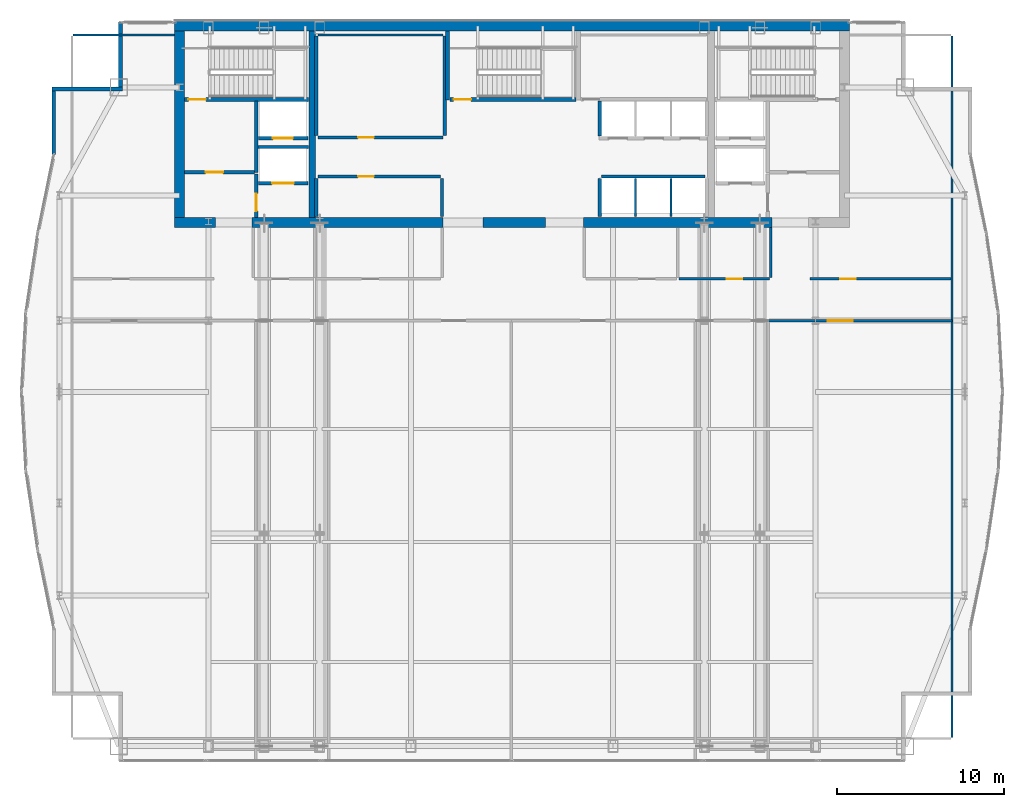
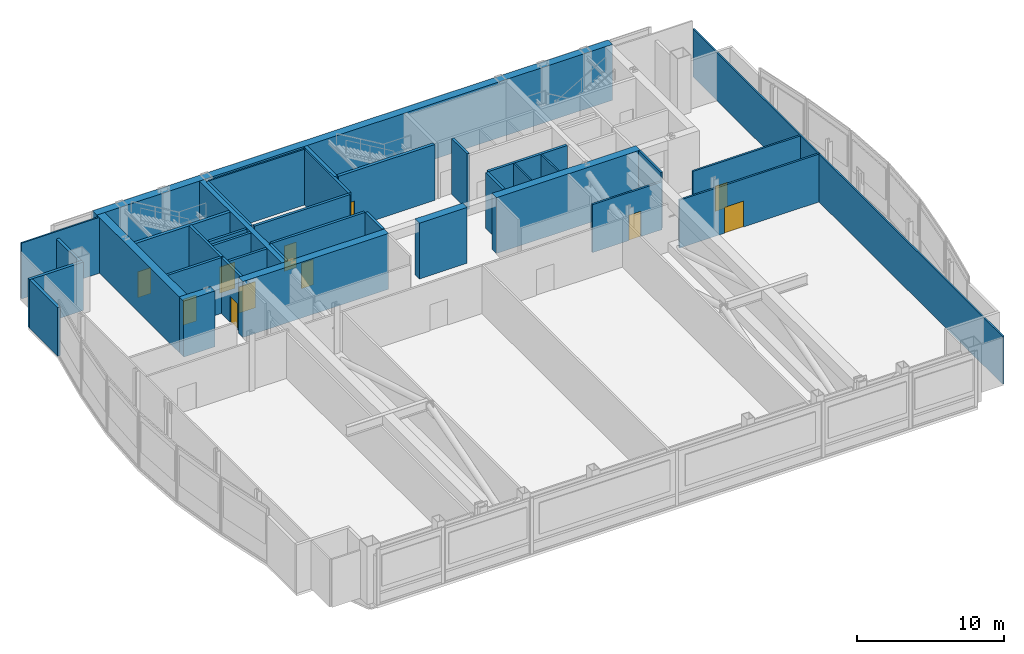
# One storey, part 28 of 32: 37 walls, 11 doors, 11 openings.
"""IFC4 building model written with IfcOpenShell, lengths in metres."""

from ifc_helpers import new_model, si_unit, direction, frame, frame_2d, origin, place, context, subcontext, project, spatial, rectangle, extrude, material, layer, layer_set, type_object, element, fill, save


model = new_model("IFC4")

# Units and contexts
model_context = context("Model", 3, precision=1e-05, world=origin(), true_north=direction((0.0, 1.0)))
body_context = subcontext(model_context, "Body", "Model", "MODEL_VIEW")
ifc_project = project(units=[si_unit("LENGTHUNIT", "METRE"), si_unit("AREAUNIT", "SQUARE_METRE"), si_unit("VOLUMEUNIT", "CUBIC_METRE"), si_unit("PLANEANGLEUNIT", "RADIAN"), si_unit("MASSUNIT", "GRAM", prefix="KILO")], contexts=[model_context])

# Site, building, storey
site_placement = place(None, origin())
site = spatial("IfcSite", under=ifc_project, at=site_placement, CompositionType="ELEMENT")
building_placement = place(site_placement, origin())
building = spatial("IfcBuilding", under=site, at=building_placement, Name="Khoronbel Lancet Exchange", CompositionType="ELEMENT")
storey_placement = place(building_placement, frame((0.0, 0.0, 257.0)))
storey = spatial("IfcBuildingStorey", under=building, at=storey_placement, Name="L66", CompositionType="ELEMENT", Elevation=257.0)

# Walls
ifc_material_1 = material(Name="Concrete C60/75", Category="concrete")
ifc_layer_1 = layer(ifc_material_1, 0.60009765625, Name="Concrete C60/75")
ifc_layer_set_1 = layer_set([ifc_layer_1], Name="Concrete C60/75")
wall_type_1 = type_object("IfcWallType", Name="WL-CW3", PredefinedType="SHEAR", material=ifc_layer_set_1)
wall_1_placement = place(storey_placement, frame((16.199951171875, 53.39990234375, 0.0), z_axis=(0.0, 0.0, 1.0), x_axis=(1.0, 0.0, 0.0)))
element("IfcWall", 1, at=wall_1_placement, inside=storey, type_object=wall_type_1, Name="Level L66 rear core north shear wall", PredefinedType="SHEAR", context=body_context, shape_type="SweptSolid", body=[
    extrude(rectangle(XDim=40.5, YDim=0.60009765625, at=frame_2d((20.25, 0.0))), origin(), (0.0, 0.0, 1.0), 4.639892578125),
])
wall_2_placement = place(storey_placement, frame((16.5, 41.89990234375, 0.0), z_axis=(0.0, 0.0, 1.0), x_axis=(0.0, 1.0, 0.0)))
element("IfcWall", 2, at=wall_2_placement, inside=storey, type_object=wall_type_1, Name="Level L66 rear core west shear wall", PredefinedType="SHEAR", context=body_context, shape_type="SweptSolid", body=[
    extrude(rectangle(XDim=11.2001953125, YDim=0.60009765625, at=frame_2d((5.60009765625, 0.0))), origin(), (0.0, 0.0, 1.0), 4.639892578125),
])
wall_3_placement = place(storey_placement, frame((18.64990234375, 41.60009765625, 0.0), z_axis=(0.0, 0.0, 1.0), x_axis=(-1.0, 0.0, 0.0)))
element("IfcWall", 3, at=wall_3_placement, inside=storey, type_object=wall_type_1, Name="Level L66 rear core south shear wall pier P1", PredefinedType="SHEAR", context=body_context, shape_type="SweptSolid", body=[
    extrude(rectangle(XDim=2.449951171875, YDim=0.60009765625, at=frame_2d((1.22509765625, 0.0))), origin(), (0.0, 0.0, 1.0), 4.639892578125),
])
wall_4_placement = place(storey_placement, frame((32.300048828125, 41.60009765625, 0.0), z_axis=(0.0, 0.0, 1.0), x_axis=(-1.0, 0.0, 0.0)))
element("IfcWall", 4, at=wall_4_placement, inside=storey, type_object=wall_type_1, Name="Level L66 rear core south shear wall pier P2", PredefinedType="SHEAR", context=body_context, shape_type="SweptSolid", body=[
    extrude(rectangle(XDim=11.449951171875, YDim=0.60009765625, at=frame_2d((5.72509765625, 0.0))), origin(), (0.0, 0.0, 1.0), 4.639892578125),
])
wall_5_placement = place(storey_placement, frame((38.449951171875, 41.60009765625, 0.0), z_axis=(0.0, 0.0, 1.0), x_axis=(-1.0, 0.0, 0.0)))
element("IfcWall", 5, at=wall_5_placement, inside=storey, type_object=wall_type_1, Name="Level L66 rear core south shear wall pier P3", PredefinedType="SHEAR", context=body_context, shape_type="SweptSolid", body=[
    extrude(rectangle(XDim=3.75, YDim=0.60009765625, at=frame_2d((1.875, 0.0))), origin(), (0.0, 0.0, 1.0), 4.639892578125),
])
wall_6_placement = place(storey_placement, frame((52.050048828125, 41.60009765625, 0.0), z_axis=(0.0, 0.0, 1.0), x_axis=(-1.0, 0.0, 0.0)))
element("IfcWall", 6, at=wall_6_placement, inside=storey, type_object=wall_type_1, Name="Level L66 rear core south shear wall pier P4", PredefinedType="SHEAR", context=body_context, shape_type="SweptSolid", body=[
    extrude(rectangle(XDim=11.300048828125, YDim=0.60009765625, at=frame_2d((5.64990234375, 0.0))), origin(), (0.0, 0.0, 1.0), 4.639892578125),
])
ifc_material_2 = material(Name="Precast concrete C40/50", Category="concrete")
ifc_layer_2 = layer(ifc_material_2, 0.25, Name="Precast concrete C40/50")
ifc_layer_set_2 = layer_set([ifc_layer_2], Name="Precast concrete C40/50")
wall_type_2 = type_object("IfcWallType", Name="WL-EXT250", PredefinedType="SOLIDWALL", material=ifc_layer_set_2)
wall_7_placement = place(storey_placement, frame((8.93994140625, 45.6708984375, 0.0), z_axis=(0.0, 0.0, 1.0), x_axis=(0.0, 1.0, 0.0)))
element("IfcWall", 7, at=wall_7_placement, inside=storey, type_object=wall_type_2, Name="Level L66 notched-corner limestone pier 10", PredefinedType="SOLIDWALL", context=body_context, shape_type="SweptSolid", body=[
    extrude(rectangle(XDim=3.8291015625, YDim=0.219970703125, at=frame_2d((1.91455078125, 0.0))), origin(), (0.0, 0.0, 1.0), 4.030029296875),
])
wall_8_placement = place(storey_placement, frame((8.830078125, 49.610107421875, 0.0), z_axis=(0.0, 0.0, 1.0), x_axis=(1.0, 0.0, 0.0)))
element("IfcWall", 8, at=wall_8_placement, inside=storey, type_object=wall_type_2, Name="Level L66 notched-corner limestone pier 11", PredefinedType="SOLIDWALL", context=body_context, shape_type="SweptSolid", body=[
    extrude(rectangle(XDim=4.219970703125, YDim=0.219970703125, at=frame_2d((2.10986328125, 0.0))), origin(), (0.0, 0.0, 1.0), 4.030029296875),
])
wall_9_placement = place(storey_placement, frame((12.93994140625, 49.719970703125, 0.0), z_axis=(0.0, 0.0, 1.0), x_axis=(0.0, 1.0, 0.0)))
element("IfcWall", 9, at=wall_9_placement, inside=storey, type_object=wall_type_2, Name="Level L66 notched-corner limestone pier 12", PredefinedType="SOLIDWALL", context=body_context, shape_type="SweptSolid", body=[
    extrude(rectangle(XDim=3.909912109375, YDim=0.219970703125, at=frame_2d((1.955078125, 0.0))), origin(), (0.0, 0.0, 1.0), 4.030029296875),
])
ifc_material_3 = material(Name="Acoustic Metal-Stud & Mineral-Wool Gypsum Partition 120 mm", Category="gypsum")
ifc_layer_3 = layer(ifc_material_3, 0.1201171875, Name="Acoustic Metal-Stud & Mineral-Wool Gypsum Partition 120 mm")
ifc_layer_set_3 = layer_set([ifc_layer_3], Name="Acoustic Metal-Stud & Mineral-Wool Gypsum Partition 120 mm")
wall_type_3 = type_object("IfcWallType", Name="WL-PRT120", PredefinedType="PARTITIONING", material=ifc_layer_set_3)
wall_10_placement = place(storey_placement, frame((52.0, 38.280029296875, 0.0), z_axis=(0.0, 0.0, 1.0), x_axis=(0.0, 1.0, 0.0)))
element("IfcWall", 10, at=wall_10_placement, inside=storey, type_object=wall_type_3, Name="Level L66 interior partition PW-RF-NE3", PredefinedType="PARTITIONING", context=body_context, shape_type="SweptSolid", body=[
    extrude(rectangle(XDim=3.02001953125, YDim=0.14990234375, at=frame_2d((1.510009765625, 0.0))), origin(), (0.0, 0.0, 1.0), 4.639892578125),
])
wall_11_placement = place(storey_placement, frame((62.8701171875, 10.6650390625, 0.0), z_axis=(0.0, 0.0, 1.0), x_axis=(0.0, 1.0, 0.0)))
element("IfcWall", 11, at=wall_11_placement, inside=storey, type_object=wall_type_3, Name="Level L66 interior partition PW-LIN-E", PredefinedType="PARTITIONING", context=body_context, shape_type="SweptSolid", body=[
    extrude(rectangle(XDim=42.10986328125, YDim=0.1201171875, at=frame_2d((21.054931640625, 0.0))), origin(), (0.0, 0.0, 1.0), 3.97998046875),
])
wall_12_placement = place(storey_placement, frame((10.094970703125, 52.840087890625, 0.0), z_axis=(0.0, 0.0, 1.0), x_axis=(1.0, 0.0, 0.0)))
element("IfcWall", 12, at=wall_12_placement, inside=storey, type_object=wall_type_3, Name="Level L66 interior partition PW-LIN-NW", PredefinedType="PARTITIONING", context=body_context, shape_type="SweptSolid", body=[
    extrude(rectangle(XDim=6.10498046875, YDim=0.1201171875, at=frame_2d((3.052490234375, 0.0))), origin(), (0.0, 0.0, 1.0), 4.639892578125),
])
ifc_material_4 = material(Name="Fire-Rated Metal-Stud & Mineral-Wool Gypsum Partition 120 mm", Category="gypsum")
ifc_layer_4 = layer(ifc_material_4, 0.1201171875, Name="Fire-Rated Metal-Stud & Mineral-Wool Gypsum Partition 120 mm")
ifc_layer_set_4 = layer_set([ifc_layer_4], Name="Fire-Rated Metal-Stud & Mineral-Wool Gypsum Partition 120 mm")
wall_type_4 = type_object("IfcWallType", Name="WL-PRT120F", PredefinedType="PARTITIONING", material=ifc_layer_set_4)
wall_13_placement = place(storey_placement, frame((24.804931640625, 52.860107421875, 0.0), z_axis=(0.0, 0.0, 1.0), x_axis=(1.0, 0.0, 0.0)))
element("IfcWall", 13, at=wall_13_placement, inside=storey, type_object=wall_type_4, Name="Level L66 interior partition CW-PL-RN", PredefinedType="PARTITIONING", context=body_context, shape_type="SweptSolid", body=[
    extrude(rectangle(XDim=7.510009765625, YDim=0.1201171875, at=frame_2d((3.7548828125, 0.0))), origin(), (0.0, 0.0, 1.0), 4.639892578125),
])
for number, where, z_axis, x_axis, name in (
    (14, (43.860107421875, 41.949951171875, 0.0), (0.0, 0.0, 1.0), (0.0, 1.0, 0.0), "Level L66 interior partition CW-PX-D1"),
    (15, (46.0, 41.949951171875, 0.0), (0.0, 0.0, 1.0), (0.0, 1.0, 0.0), "Level L66 interior partition CW-PX-D2"),
):
    element("IfcWall", number, at=place(storey_placement, frame(where, z_axis=z_axis, x_axis=x_axis)), inside=storey, type_object=wall_type_4, Name=name, PredefinedType="PARTITIONING", context=body_context, shape_type="SweptSolid", body=[
        extrude(rectangle(XDim=2.295166015625, YDim=0.1201171875, at=frame_2d((1.1474609375, 0.0))), origin(), (0.0, 0.0, 1.0), 4.639892578125),
    ])

# Wall, opening, door
ifc_material_5 = material(Name="Fire-Rated Twin-Stud Acoustic Gypsum Partition 150 mm", Category="gypsum")
ifc_layer_5 = layer(ifc_material_5, 0.14990234375, Name="Fire-Rated Twin-Stud Acoustic Gypsum Partition 150 mm")
ifc_layer_set_5 = layer_set([ifc_layer_5], Name="Fire-Rated Twin-Stud Acoustic Gypsum Partition 150 mm")
wall_type_5 = type_object("IfcWallType", Name="WL-PRT150C", PredefinedType="PARTITIONING", material=ifc_layer_set_5)
wall_14_placement = place(storey_placement, frame((51.85009765625, 35.699951171875, 0.0), z_axis=(0.0, 0.0, 1.0), x_axis=(1.0, 0.0, 0.0)))
wall_14 = element("IfcWall", 16, at=wall_14_placement, inside=storey, type_object=wall_type_5, Name="Level L66 interior partition PW-RF-S6", PredefinedType="PARTITIONING", context=body_context, shape_type="SweptSolid", body=[
    extrude(rectangle(XDim=11.02001953125, YDim=0.14990234375, at=frame_2d((5.510009765625, 0.0))), origin(), (0.0, 0.0, 1.0), 3.97998046875),
])
opening_1_placement = place(wall_14_placement, frame((3.550048828125, 0.0, 0.0)))
opening_1 = element("IfcOpeningElement", 17, at=opening_1_placement, cuts=wall_14, Name="Opening FD2", PredefinedType="OPENING", context=body_context, shape_type="SweptSolid", body=[
    extrude(rectangle(XDim=1.5, YDim=2.14990234375, at=frame_2d((0.75, 1.074951171875))), frame((0.0, 0.0849609375, 0.0), z_axis=(0.0, -1.0, 0.0), x_axis=(1.0, 0.0, 0.0)), (0.0, 0.0, 1.0), 0.169921875),
])
ifc_material_6 = material(Name="Fire-Rated Painted Steel Door Assembly", Category="steel")
door_type_1 = type_object("IfcDoorType", Name="DR-FD2", OperationType="NOTDEFINED", PredefinedType="DOOR", material=ifc_material_6)
door_1_placement = place(opening_1_placement, origin())
door_1 = element("IfcDoor", 18, at=door_1_placement, inside=storey, type_object=door_type_1, Name="East refuge area fire door L66-1", OperationType="DOUBLE_DOOR_SINGLE_SWING", OverallHeight=2.14990234375, OverallWidth=1.5, PredefinedType="DOOR", context=body_context, shape_type="SweptSolid", body=[
    extrude(rectangle(XDim=1.5, YDim=2.14990234375, at=frame_2d((0.75, 1.074951171875))), frame((0.0, 0.02490234375, 0.0), z_axis=(0.0, -1.0, 0.0), x_axis=(1.0, 0.0, 0.0)), (0.0, 0.0, 1.0), 0.050048828125),
])
fill(opening_1, door_1)

wall_15_placement = place(storey_placement, frame((46.47998046875, 38.199951171875, 0.0), z_axis=(0.0, 0.0, 1.0), x_axis=(1.0, 0.0, 0.0)))
wall_15 = element("IfcWall", 19, at=wall_15_placement, inside=storey, type_object=wall_type_5, Name="Level L66 interior partition PW-RF-NE2", PredefinedType="PARTITIONING", context=body_context, shape_type="SweptSolid", body=[
    extrude(rectangle(XDim=5.43994140625, YDim=0.14990234375, at=frame_2d((2.719970703125, 0.0))), origin(), (0.0, 0.0, 1.0), 3.97998046875),
])
opening_2_placement = place(wall_15_placement, frame((2.85009765625, 0.0, 0.0)))
opening_2 = element("IfcOpeningElement", 20, at=opening_2_placement, cuts=wall_15, Name="Opening FD3", PredefinedType="OPENING", context=body_context, shape_type="SweptSolid", body=[
    extrude(rectangle(XDim=0.949951171875, YDim=2.10009765625, at=frame_2d((0.47509765625, 1.050048828125))), frame((0.0, 0.0849609375, 0.0), z_axis=(0.0, -1.0, 0.0), x_axis=(1.0, 0.0, 0.0)), (0.0, 0.0, 1.0), 0.169921875),
])
ifc_material_7 = material(Name="Fire-Rated Steel Plant & Riser Door Assembly", Category="steel")
door_type_2 = type_object("IfcDoorType", Name="DR-FD3", OperationType="NOTDEFINED", PredefinedType="DOOR", material=ifc_material_7)
door_2_placement = place(opening_2_placement, origin())
door_2 = element("IfcDoor", 21, at=door_2_placement, inside=storey, type_object=door_type_2, Name="BMS mechanical plant room door L66-1", OperationType="SINGLE_SWING_LEFT", OverallHeight=2.10009765625, OverallWidth=0.949951171875, PredefinedType="DOOR", context=body_context, shape_type="SweptSolid", body=[
    extrude(rectangle(XDim=0.949951171875, YDim=2.10009765625, at=frame_2d((0.47509765625, 1.050048828125))), frame((0.0, 0.02490234375, 0.0), z_axis=(0.0, -1.0, 0.0), x_axis=(1.0, 0.0, 0.0)), (0.0, 0.0, 1.0), 0.050048828125),
])
fill(opening_2, door_2)

wall_16_placement = place(storey_placement, frame((54.35009765625, 38.199951171875, 0.0), z_axis=(0.0, 0.0, 1.0), x_axis=(1.0, 0.0, 0.0)))
wall_16 = element("IfcWall", 22, at=wall_16_placement, inside=storey, type_object=wall_type_5, Name="Level L66 interior partition PW-RF-NES", PredefinedType="PARTITIONING", context=body_context, shape_type="SweptSolid", body=[
    extrude(rectangle(XDim=8.454833984375, YDim=0.14990234375, at=frame_2d((4.2275390625, 0.0))), origin(), (0.0, 0.0, 1.0), 3.97998046875),
])
opening_3_placement = place(wall_16_placement, frame((1.800048828125, 0.0, 0.0)))
opening_3 = element("IfcOpeningElement", 23, at=opening_3_placement, cuts=wall_16, Name="Opening FD3", PredefinedType="OPENING", context=body_context, shape_type="SweptSolid", body=[
    extrude(rectangle(XDim=0.949951171875, YDim=2.10009765625, at=frame_2d((0.47509765625, 1.050048828125))), frame((0.0, 0.0849609375, 0.0), z_axis=(0.0, -1.0, 0.0), x_axis=(1.0, 0.0, 0.0)), (0.0, 0.0, 1.0), 0.169921875),
])
door_3_placement = place(opening_3_placement, origin())
door_3 = element("IfcDoor", 24, at=door_3_placement, inside=storey, type_object=door_type_2, Name="NE UPS plant door L66-1", OperationType="SINGLE_SWING_LEFT", OverallHeight=2.10009765625, OverallWidth=0.949951171875, PredefinedType="DOOR", context=body_context, shape_type="SweptSolid", body=[
    extrude(rectangle(XDim=0.949951171875, YDim=2.10009765625, at=frame_2d((0.47509765625, 1.050048828125))), frame((0.0, 0.02490234375, 0.0), z_axis=(0.0, -1.0, 0.0), x_axis=(1.0, 0.0, 0.0)), (0.0, 0.0, 1.0), 0.050048828125),
])
fill(opening_3, door_3)

ifc_material_8 = material(Name="Autoclaved Aerated Concrete Blockwork 200 mm", Category="masonry")
ifc_layer_6 = layer(ifc_material_8, 0.199951171875, Name="Autoclaved Aerated Concrete Blockwork 200 mm")
ifc_layer_set_6 = layer_set([ifc_layer_6], Name="Autoclaved Aerated Concrete Blockwork 200 mm")
wall_type_6 = type_object("IfcWallType", Name="WL-PRT200", PredefinedType="PARTITIONING", material=ifc_layer_set_6)
wall_17_placement = place(storey_placement, frame((24.2099609375, 43.949951171875, 0.0), z_axis=(0.0, 0.0, 1.0), x_axis=(-1.0, 0.0, 0.0)))
wall_17 = element("IfcWall", 25, at=wall_17_placement, inside=storey, type_object=wall_type_6, Name="Level L66 elevator hoistway landing front wall SVLW", PredefinedType="PARTITIONING", context=body_context, shape_type="SweptSolid", body=[
    extrude(rectangle(XDim=2.969970703125, YDim=0.199951171875, at=frame_2d((1.48486328125, 0.0))), origin(), (0.0, 0.0, 1.0), 4.639892578125),
])
opening_4_placement = place(wall_17_placement, frame((0.860107421875, 0.0, 0.0)))
opening_4 = element("IfcOpeningElement", 26, at=opening_4_placement, cuts=wall_17, Name="Opening LD-SVL1", PredefinedType="OPENING", context=body_context, shape_type="SweptSolid", body=[
    extrude(rectangle(XDim=1.300048828125, YDim=2.179931640625, at=frame_2d((0.64990234375, 1.08984375))), frame((0.0, 0.10986328125, 0.0), z_axis=(0.0, -1.0, 0.0), x_axis=(1.0, 0.0, 0.0)), (0.0, 0.0, 1.0), 0.219970703125),
])
ifc_material_9 = material(Name="Heavy-Duty Bi-Parting Goods Lift Landing Door", Category="steel")
door_type_3 = type_object("IfcDoorType", Name="DR-LD-SVL", OperationType="NOTDEFINED", PredefinedType="DOOR", material=ifc_material_9)
door_4_placement = place(opening_4_placement, origin())
door_4 = element("IfcDoor", 27, at=door_4_placement, inside=storey, type_object=door_type_3, Name="Elevator landing sliding door LD-SVL1 L66", OperationType="SLIDING_TO_LEFT", OverallHeight=2.179931640625, OverallWidth=1.300048828125, PredefinedType="DOOR", context=body_context, shape_type="SweptSolid", body=[
    extrude(rectangle(XDim=1.300048828125, YDim=2.179931640625, at=frame_2d((0.64990234375, 1.08984375))), frame((0.0, 0.02490234375, 0.0), z_axis=(0.0, -1.0, 0.0), x_axis=(1.0, 0.0, 0.0)), (0.0, 0.0, 1.0), 0.050048828125),
])
fill(opening_4, door_4)

wall_18_placement = place(storey_placement, frame((24.2099609375, 46.64990234375, 0.0), z_axis=(0.0, 0.0, 1.0), x_axis=(-1.0, 0.0, 0.0)))
wall_18 = element("IfcWall", 28, at=wall_18_placement, inside=storey, type_object=wall_type_6, Name="Level L66 elevator hoistway landing front wall FFLW", PredefinedType="PARTITIONING", context=body_context, shape_type="SweptSolid", body=[
    extrude(rectangle(XDim=2.969970703125, YDim=0.199951171875, at=frame_2d((1.48486328125, 0.0))), origin(), (0.0, 0.0, 1.0), 4.639892578125),
])
opening_5_placement = place(wall_18_placement, frame((0.909912109375, 0.0, 0.0)))
opening_5 = element("IfcOpeningElement", 29, at=opening_5_placement, cuts=wall_18, Name="Opening LD-FFL1", PredefinedType="OPENING", context=body_context, shape_type="SweptSolid", body=[
    extrude(rectangle(XDim=1.199951171875, YDim=2.179931640625, at=frame_2d((0.60009765625, 1.08984375))), frame((0.0, 0.10986328125, 0.0), z_axis=(0.0, -1.0, 0.0), x_axis=(1.0, 0.0, 0.0)), (0.0, 0.0, 1.0), 0.219970703125),
])
ifc_material_10 = material(Name="Fire-Rated Stainless Bi-Parting Firefighting Lift Door", Category="steel")
door_type_4 = type_object("IfcDoorType", Name="DR-LD-FFL", OperationType="NOTDEFINED", PredefinedType="DOOR", material=ifc_material_10)
door_5_placement = place(opening_5_placement, origin())
door_5 = element("IfcDoor", 30, at=door_5_placement, inside=storey, type_object=door_type_4, Name="Elevator landing sliding door LD-FFL1 L66", OperationType="SLIDING_TO_LEFT", OverallHeight=2.179931640625, OverallWidth=1.199951171875, PredefinedType="DOOR", context=body_context, shape_type="SweptSolid", body=[
    extrude(rectangle(XDim=1.199951171875, YDim=2.179931640625, at=frame_2d((0.60009765625, 1.08984375))), frame((0.0, 0.02490234375, 0.0), z_axis=(0.0, -1.0, 0.0), x_axis=(1.0, 0.0, 0.0)), (0.0, 0.0, 1.0), 0.050048828125),
])
fill(opening_5, door_5)

# Wall
wall_19_placement = place(storey_placement, frame((21.10009765625, 44.60009765625, 0.0), z_axis=(0.0, 0.0, 1.0), x_axis=(0.0, 1.0, 0.0)))
element("IfcWall", 31, at=wall_19_placement, inside=storey, type_object=wall_type_6, Name="Level L66 interior partition CW-FFLW-E", PredefinedType="PARTITIONING", context=body_context, shape_type="SweptSolid", body=[
    extrude(rectangle(XDim=4.2998046875, YDim=0.199951171875, at=frame_2d((2.14990234375, 0.0))), origin(), (0.0, 0.0, 1.0), 4.639892578125),
])

# Wall, opening, door
wall_20_placement = place(storey_placement, frame((16.800048828125, 44.60009765625, 0.0), z_axis=(0.0, 0.0, 1.0), x_axis=(1.0, 0.0, 0.0)))
wall_20 = element("IfcWall", 32, at=wall_20_placement, inside=storey, type_object=wall_type_6, Name="Level L66 interior partition CW-FFLW-S", PredefinedType="PARTITIONING", context=body_context, shape_type="SweptSolid", body=[
    extrude(rectangle(XDim=4.199951171875, YDim=0.199951171875, at=frame_2d((2.10009765625, 0.0))), origin(), (0.0, 0.0, 1.0), 4.639892578125),
])
opening_6_placement = place(wall_20_placement, frame((1.25, 0.0, 0.0)))
opening_6 = element("IfcOpeningElement", 33, at=opening_6_placement, cuts=wall_20, Name="Opening FD1", PredefinedType="OPENING", context=body_context, shape_type="SweptSolid", body=[
    extrude(rectangle(XDim=1.050048828125, YDim=2.14990234375, at=frame_2d((0.52490234375, 1.074951171875))), frame((0.0, 0.10986328125, 0.0), z_axis=(0.0, -1.0, 0.0), x_axis=(1.0, 0.0, 0.0)), (0.0, 0.0, 1.0), 0.219970703125),
])
door_type_5 = type_object("IfcDoorType", Name="DR-FD1", OperationType="NOTDEFINED", PredefinedType="DOOR", material=ifc_material_6)
door_6_placement = place(opening_6_placement, origin())
door_6 = element("IfcDoor", 34, at=door_6_placement, inside=storey, type_object=door_type_5, Name="West firefighting lobby FD90S door L66-1", OperationType="SINGLE_SWING_LEFT", OverallHeight=2.14990234375, OverallWidth=1.050048828125, PredefinedType="DOOR", context=body_context, shape_type="SweptSolid", body=[
    extrude(rectangle(XDim=1.050048828125, YDim=2.14990234375, at=frame_2d((0.52490234375, 1.074951171875))), frame((0.0, 0.02490234375, 0.0), z_axis=(0.0, -1.0, 0.0), x_axis=(1.0, 0.0, 0.0)), (0.0, 0.0, 1.0), 0.050048828125),
])
fill(opening_6, door_6)

# Wall
wall_21_placement = place(storey_placement, frame((21.199951171875, 46.1201171875, 0.0), z_axis=(0.0, 0.0, 1.0), x_axis=(1.0, 0.0, 0.0)))
element("IfcWall", 35, at=wall_21_placement, inside=storey, type_object=wall_type_6, Name="Level L66 interior partition CW-FFL1-S", PredefinedType="PARTITIONING", context=body_context, shape_type="SweptSolid", body=[
    extrude(rectangle(XDim=3.02001953125, YDim=0.199951171875, at=frame_2d((1.510009765625, 0.0))), origin(), (0.0, 0.0, 1.0), 4.639892578125),
])

# Wall, opening, door
wall_22_placement = place(storey_placement, frame((21.10009765625, 41.89990234375, 0.0), z_axis=(0.0, 0.0, 1.0), x_axis=(0.0, 1.0, 0.0)))
wall_22 = element("IfcWall", 36, at=wall_22_placement, inside=storey, type_object=wall_type_6, Name="Level L66 interior partition CW-SVLW-W", PredefinedType="PARTITIONING", context=body_context, shape_type="SweptSolid", body=[
    extrude(rectangle(XDim=2.59521484375, YDim=0.199951171875, at=frame_2d((1.297607421875, 0.0))), origin(), (0.0, 0.0, 1.0), 4.639892578125),
])
opening_7_placement = place(wall_22_placement, frame((0.3798828125, 0.0, 0.0)))
opening_7 = element("IfcOpeningElement", 37, at=opening_7_placement, cuts=wall_22, Name="Opening FD1", PredefinedType="OPENING", context=body_context, shape_type="SweptSolid", body=[
    extrude(rectangle(XDim=1.050048828125, YDim=2.14990234375, at=frame_2d((0.52490234375, 1.074951171875))), frame((0.0, 0.10986328125, 0.0), z_axis=(0.0, -1.0, 0.0), x_axis=(1.0, 0.0, 0.0)), (0.0, 0.0, 1.0), 0.219970703125),
])
door_7_placement = place(opening_7_placement, origin())
door_7 = element("IfcDoor", 38, at=door_7_placement, inside=storey, type_object=door_type_5, Name="West service lift lobby door L66-1", OperationType="SINGLE_SWING_RIGHT", OverallHeight=2.14990234375, OverallWidth=1.050048828125, PredefinedType="DOOR", context=body_context, shape_type="SweptSolid", body=[
    extrude(rectangle(XDim=1.050048828125, YDim=2.14990234375, at=frame_2d((0.52490234375, 1.074951171875))), frame((0.0, 0.02490234375, 0.0), z_axis=(0.0, -1.0, 0.0), x_axis=(1.0, 0.0, 0.0)), (0.0, 0.0, 1.0), 0.050048828125),
])
fill(opening_7, door_7)

# Walls
for number, where, z_axis, x_axis, name in (
    (39, (24.699951171875, 46.804931640625, 0.0), (0.0, 0.0, 1.0), (0.0, 1.0, 0.0), "Level L66 interior partition CW-PL-RW"),
    (40, (32.419921875, 46.804931640625, 0.0), (0.0, 0.0, 1.0), (0.0, 1.0, 0.0), "Level L66 interior partition CW-PL-RE"),
):
    element("IfcWall", number, at=place(storey_placement, frame(where, z_axis=z_axis, x_axis=x_axis)), inside=storey, type_object=wall_type_6, Name=name, PredefinedType="PARTITIONING", context=body_context, shape_type="SweptSolid", body=[
        extrude(rectangle(XDim=5.989990234375, YDim=0.199951171875, at=frame_2d((2.9951171875, 0.0))), origin(), (0.0, 0.0, 1.0), 4.639892578125),
    ])

# Wall, opening, door
wall_23_placement = place(storey_placement, frame((24.804931640625, 46.699951171875, 0.0), z_axis=(0.0, 0.0, 1.0), x_axis=(1.0, 0.0, 0.0)))
wall_23 = element("IfcWall", 41, at=wall_23_placement, inside=storey, type_object=wall_type_6, Name="Level L66 interior partition CW-PL-RF", PredefinedType="PARTITIONING", context=body_context, shape_type="SweptSolid", body=[
    extrude(rectangle(XDim=7.510009765625, YDim=0.199951171875, at=frame_2d((3.7548828125, 0.0))), origin(), (0.0, 0.0, 1.0), 4.639892578125),
])
opening_8_placement = place(wall_23_placement, frame((2.39990234375, 0.0, 0.0)))
opening_8 = element("IfcOpeningElement", 42, at=opening_8_placement, cuts=wall_23, Name="Opening FD3", PredefinedType="OPENING", context=body_context, shape_type="SweptSolid", body=[
    extrude(rectangle(XDim=0.949951171875, YDim=2.10009765625, at=frame_2d((0.47509765625, 1.050048828125))), frame((0.0, 0.10986328125, 0.0), z_axis=(0.0, -1.0, 0.0), x_axis=(1.0, 0.0, 0.0)), (0.0, 0.0, 1.0), 0.219970703125),
])
door_8_placement = place(opening_8_placement, origin())
door_8 = element("IfcDoor", 43, at=door_8_placement, inside=storey, type_object=door_type_2, Name="Reclaimed PL room door L66-1", OperationType="SINGLE_SWING_LEFT", OverallHeight=2.10009765625, OverallWidth=0.949951171875, PredefinedType="DOOR", context=body_context, shape_type="SweptSolid", body=[
    extrude(rectangle(XDim=0.949951171875, YDim=2.10009765625, at=frame_2d((0.47509765625, 1.050048828125))), frame((0.0, 0.02490234375, 0.0), z_axis=(0.0, -1.0, 0.0), x_axis=(1.0, 0.0, 0.0)), (0.0, 0.0, 1.0), 0.050048828125),
])
fill(opening_8, door_8)

# Walls
for number, where, z_axis, x_axis, name in (
    (44, (24.699951171875, 41.949951171875, 0.0), (0.0, 0.0, 1.0), (0.0, 1.0, 0.0), "Level L66 interior partition CW-PM-RW"),
    (45, (32.25, 41.949951171875, 0.0), (0.0, 0.0, 1.0), (0.0, 1.0, 0.0), "Level L66 interior partition CW-PM-RE"),
):
    element("IfcWall", number, at=place(storey_placement, frame(where, z_axis=z_axis, x_axis=x_axis)), inside=storey, type_object=wall_type_6, Name=name, PredefinedType="PARTITIONING", context=body_context, shape_type="SweptSolid", body=[
        extrude(rectangle(XDim=2.295166015625, YDim=0.199951171875, at=frame_2d((1.1474609375, 0.0))), origin(), (0.0, 0.0, 1.0), 4.639892578125),
    ])

# Wall, opening, door
wall_24_placement = place(storey_placement, frame((24.804931640625, 44.35009765625, 0.0), z_axis=(0.0, 0.0, 1.0), x_axis=(1.0, 0.0, 0.0)))
wall_24 = element("IfcWall", 46, at=wall_24_placement, inside=storey, type_object=wall_type_6, Name="Level L66 interior partition CW-PM-RF", PredefinedType="PARTITIONING", context=body_context, shape_type="SweptSolid", body=[
    extrude(rectangle(XDim=7.340087890625, YDim=0.199951171875, at=frame_2d((3.669921875, 0.0))), origin(), (0.0, 0.0, 1.0), 4.639892578125),
])
opening_9_placement = place(wall_24_placement, frame((2.39990234375, 0.0, 0.0)))
opening_9 = element("IfcOpeningElement", 47, at=opening_9_placement, cuts=wall_24, Name="Opening FD3", PredefinedType="OPENING", context=body_context, shape_type="SweptSolid", body=[
    extrude(rectangle(XDim=0.949951171875, YDim=2.10009765625, at=frame_2d((0.47509765625, 1.050048828125))), frame((0.0, 0.10986328125, 0.0), z_axis=(0.0, -1.0, 0.0), x_axis=(1.0, 0.0, 0.0)), (0.0, 0.0, 1.0), 0.219970703125),
])
door_9_placement = place(opening_9_placement, origin())
door_9 = element("IfcDoor", 48, at=door_9_placement, inside=storey, type_object=door_type_2, Name="Reclaimed PM room door L66-1", OperationType="SINGLE_SWING_RIGHT", OverallHeight=2.10009765625, OverallWidth=0.949951171875, PredefinedType="DOOR", context=body_context, shape_type="SweptSolid", body=[
    extrude(rectangle(XDim=0.949951171875, YDim=2.10009765625, at=frame_2d((0.47509765625, 1.050048828125))), frame((0.0, 0.02490234375, 0.0), z_axis=(0.0, -1.0, 0.0), x_axis=(1.0, 0.0, 0.0)), (0.0, 0.0, 1.0), 0.050048828125),
])
fill(opening_9, door_9)

# Walls
wall_25_placement = place(storey_placement, frame((41.719970703125, 46.800048828125, 0.0), z_axis=(0.0, 0.0, 1.0), x_axis=(0.0, 1.0, 0.0)))
element("IfcWall", 49, at=wall_25_placement, inside=storey, type_object=wall_type_6, Name="Level L66 interior partition CW-PH-W", PredefinedType="PARTITIONING", context=body_context, shape_type="SweptSolid", body=[
    extrude(rectangle(XDim=2.094970703125, YDim=0.199951171875, at=frame_2d((1.04736328125, 0.0))), origin(), (0.0, 0.0, 1.0), 4.639892578125),
])
wall_26_placement = place(storey_placement, frame((41.824951171875, 44.35009765625, 0.0), z_axis=(0.0, 0.0, 1.0), x_axis=(1.0, 0.0, 0.0)))
element("IfcWall", 50, at=wall_26_placement, inside=storey, type_object=wall_type_6, Name="Level L66 interior partition CW-PX-EXP", PredefinedType="PARTITIONING", context=body_context, shape_type="SweptSolid", body=[
    extrude(rectangle(XDim=6.2099609375, YDim=0.199951171875, at=frame_2d((3.10498046875, 0.0))), origin(), (0.0, 0.0, 1.0), 4.639892578125),
])
wall_27_placement = place(storey_placement, frame((41.719970703125, 41.949951171875, 0.0), z_axis=(0.0, 0.0, 1.0), x_axis=(0.0, 1.0, 0.0)))
element("IfcWall", 51, at=wall_27_placement, inside=storey, type_object=wall_type_6, Name="Level L66 interior partition CW-PX-W", PredefinedType="PARTITIONING", context=body_context, shape_type="SweptSolid", body=[
    extrude(rectangle(XDim=2.295166015625, YDim=0.199951171875, at=frame_2d((1.1474609375, 0.0))), origin(), (0.0, 0.0, 1.0), 4.639892578125),
])
ifc_layer_7 = layer(ifc_material_1, 0.39990234375, Name="Concrete C60/75")
ifc_layer_set_7 = layer_set([ifc_layer_7], Name="Concrete C60/75")
wall_type_7 = type_object("IfcWallType", Name="WL-SW2", PredefinedType="SHEAR", material=ifc_layer_set_7)
wall_28_placement = place(storey_placement, frame((24.449951171875, 41.89990234375, 0.0), z_axis=(0.0, 0.0, 1.0), x_axis=(0.0, 1.0, 0.0)))
element("IfcWall", 52, at=wall_28_placement, inside=storey, type_object=wall_type_7, Name="Level L66 rear core internal spine shear wall IW", PredefinedType="SHEAR", context=body_context, shape_type="SweptSolid", body=[
    extrude(rectangle(XDim=11.2001953125, YDim=0.39990234375, at=frame_2d((5.60009765625, 0.0))), origin(), (0.0, 0.0, 1.0), 4.639892578125),
])
ifc_layer_8 = layer(ifc_material_1, 0.260009765625, Name="Concrete C60/75")
ifc_layer_set_8 = layer_set([ifc_layer_8], Name="Concrete C60/75")
wall_type_8 = type_object("IfcWallType", Name="WL-SW3", PredefinedType="SHEAR", material=ifc_layer_set_8)
wall_29_placement = place(storey_placement, frame((32.580078125, 48.949951171875, 0.0), z_axis=(0.0, 0.0, 1.0), x_axis=(0.0, 1.0, 0.0)))
element("IfcWall", 53, at=wall_29_placement, inside=storey, type_object=wall_type_8, Name="Level L66 central stairwell structural shear wall ST3W", PredefinedType="SHEAR", context=body_context, shape_type="SweptSolid", body=[
    extrude(rectangle(XDim=4.150146484375, YDim=0.260009765625, at=frame_2d((2.0751953125, 0.0))), origin(), (0.0, 0.0, 1.0), 4.639892578125),
])

# Wall, opening, door
wall_30_placement = place(storey_placement, frame((16.800048828125, 48.97998046875, 0.0), z_axis=(0.0, 0.0, 1.0), x_axis=(1.0, 0.0, 0.0)))
wall_30 = element("IfcWall", 54, at=wall_30_placement, inside=storey, type_object=wall_type_8, Name="Level L66 west stairwell structural south wall", PredefinedType="SHEAR", context=body_context, shape_type="SweptSolid", body=[
    extrude(rectangle(XDim=7.419921875, YDim=0.239990234375, at=frame_2d((3.7099609375, 0.0))), origin(), (0.0, 0.0, 1.0), 4.639892578125),
])
opening_10_placement = place(wall_30_placement, frame((0.219970703125, 0.0, 0.0)))
opening_10 = element("IfcOpeningElement", 55, at=opening_10_placement, cuts=wall_30, Name="Opening SD1", PredefinedType="OPENING", context=body_context, shape_type="SweptSolid", body=[
    extrude(rectangle(XDim=1.050048828125, YDim=2.14990234375, at=frame_2d((0.52490234375, 1.074951171875))), frame((0.0, 0.1298828125, 0.0), z_axis=(0.0, -1.0, 0.0), x_axis=(1.0, 0.0, 0.0)), (0.0, 0.0, 1.0), 0.260009765625),
])
ifc_material_11 = material(Name="Fire-Rated Steel Stairwell Door Assembly", Category="steel")
door_type_6 = type_object("IfcDoorType", Name="DR-SD1", OperationType="NOTDEFINED", PredefinedType="DOOR", material=ifc_material_11)
door_10_placement = place(opening_10_placement, origin())
door_10 = element("IfcDoor", 56, at=door_10_placement, inside=storey, type_object=door_type_6, Name="Protected exit stair ST1 door L66", OperationType="SINGLE_SWING_LEFT", OverallHeight=2.14990234375, OverallWidth=1.050048828125, PredefinedType="DOOR", context=body_context, shape_type="SweptSolid", body=[
    extrude(rectangle(XDim=1.050048828125, YDim=2.14990234375, at=frame_2d((0.52490234375, 1.074951171875))), frame((0.0, 0.02490234375, 0.0), z_axis=(0.0, -1.0, 0.0), x_axis=(1.0, 0.0, 0.0)), (0.0, 0.0, 1.0), 0.050048828125),
])
fill(opening_10, door_10)

wall_31_placement = place(storey_placement, frame((32.719970703125, 48.97998046875, 0.0), z_axis=(0.0, 0.0, 1.0), x_axis=(1.0, 0.0, 0.0)))
wall_31 = element("IfcWall", 57, at=wall_31_placement, inside=storey, type_object=wall_type_8, Name="Level L66 central stairwell structural south wall", PredefinedType="SHEAR", context=body_context, shape_type="SweptSolid", body=[
    extrude(rectangle(XDim=7.56005859375, YDim=0.239990234375, at=frame_2d((3.780029296875, 0.0))), origin(), (0.0, 0.0, 1.0), 4.639892578125),
])
opening_11_placement = place(wall_31_placement, frame((0.219970703125, 0.0, 0.0)))
opening_11 = element("IfcOpeningElement", 58, at=opening_11_placement, cuts=wall_31, Name="Opening SD1", PredefinedType="OPENING", context=body_context, shape_type="SweptSolid", body=[
    extrude(rectangle(XDim=1.050048828125, YDim=2.14990234375, at=frame_2d((0.52490234375, 1.074951171875))), frame((0.0, 0.1298828125, 0.0), z_axis=(0.0, -1.0, 0.0), x_axis=(1.0, 0.0, 0.0)), (0.0, 0.0, 1.0), 0.260009765625),
])
door_11_placement = place(opening_11_placement, origin())
door_11 = element("IfcDoor", 59, at=door_11_placement, inside=storey, type_object=door_type_6, Name="Protected exit stair ST3 door L66", OperationType="SINGLE_SWING_LEFT", OverallHeight=2.14990234375, OverallWidth=1.050048828125, PredefinedType="DOOR", context=body_context, shape_type="SweptSolid", body=[
    extrude(rectangle(XDim=1.050048828125, YDim=2.14990234375, at=frame_2d((0.52490234375, 1.074951171875))), frame((0.0, 0.02490234375, 0.0), z_axis=(0.0, -1.0, 0.0), x_axis=(1.0, 0.0, 0.0)), (0.0, 0.0, 1.0), 0.050048828125),
])
fill(opening_11, door_11)

save(model, "model.ifc")
